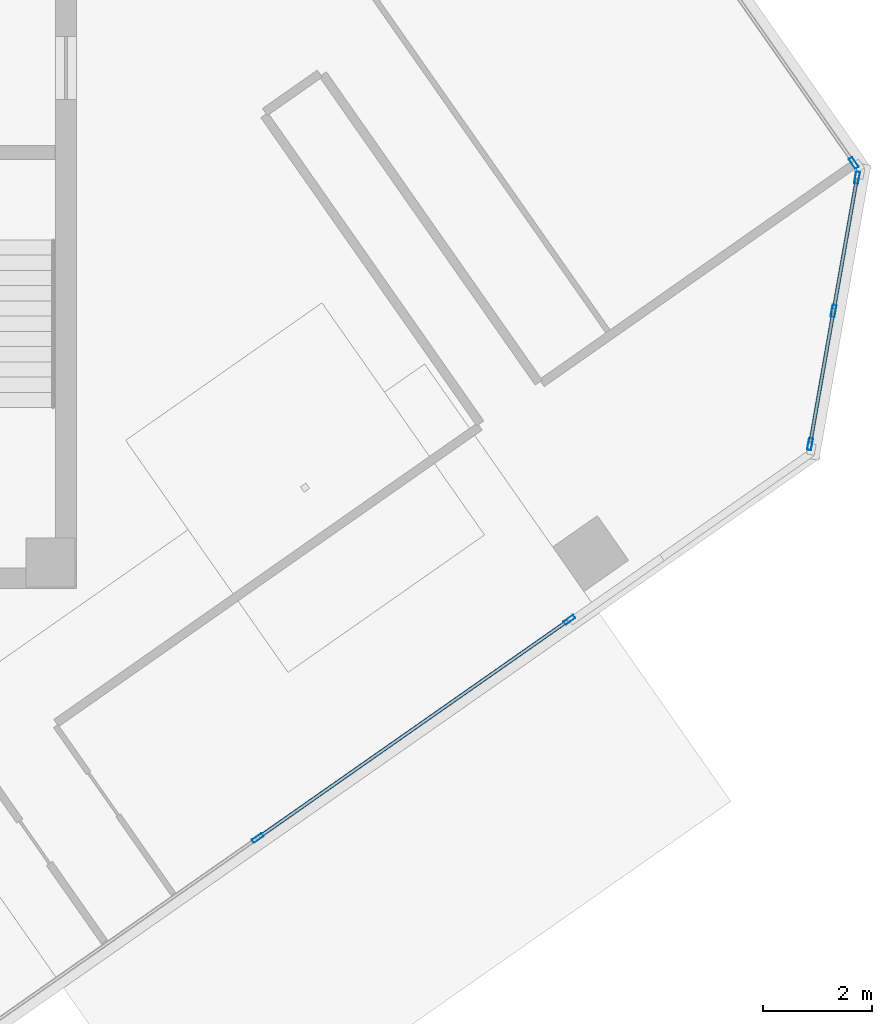
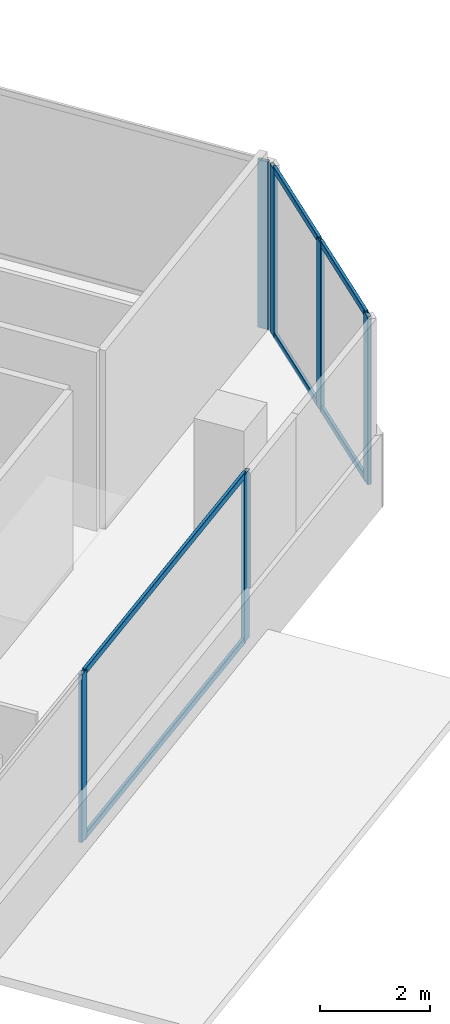
# One storey, part 7 of 17: 12 members, 3 elements without a shape of their own.
"""IFC4 building model written with IfcOpenShell, lengths in metres."""

import ifcopenshell
import ifcopenshell.guid

model = None  # the IFC model being written
_history = None  # IfcOwnerHistory: only IFC2X3 demands one
_inside = {}  # id of a spatial element -> (the spatial element, [elements in it])
_under = {}  # id of a project, library or spatial element -> (it, [spatial elements below it])
_declared = {}  # id of a project -> (the project, [libraries it declares])
_typed = {}  # id of a type object -> (the type object, [elements of that type])
_made_of = {}  # id of a material, layer set ... -> (it, [elements and type objects made of it])


def new_model(schema):
    """Start an empty IFC model of exactly this schema.

    Asked for "IFC4X3", IfcOpenShell would pick the latest addendum, in which some entities
    have other attributes; the version numbers below select the first issue.
    IFC2X3 requires an IfcOwnerHistory on every rooted entity: one is made here for all.
    """
    global model, _history
    if schema == "IFC4X3":
        model = ifcopenshell.file(schema_version=(4, 3, 0, 0))
    else:
        model = ifcopenshell.file(schema=schema)
    _inside.clear()
    _under.clear()
    _declared.clear()
    _typed.clear()
    _made_of.clear()
    _history = None
    if model.schema == "IFC2X3":
        org = make("IfcOrganization", Name="unknown")
        user = make(
            "IfcPersonAndOrganization",
            ThePerson=make("IfcPerson", FamilyName="unknown"),
            TheOrganization=org,
        )
        app = make(
            "IfcApplication",
            ApplicationDeveloper=org,
            Version="unknown",
            ApplicationFullName="unknown",
            ApplicationIdentifier="unknown",
        )
        _history = make(
            "IfcOwnerHistory",
            OwningUser=user,
            OwningApplication=app,
            ChangeAction="ADDED",
            CreationDate=0,
        )
    return model


def make(cls, **values):
    """One entity of the class cls with the attributes given. An attribute that is None is left unset."""
    return model.create_entity(
        cls, **{name: value for name, value in values.items() if value is not None}
    )


def rooted(cls, **values):
    """An entity with a GlobalId (a new one), such as an element, a storey or a relation."""
    return make(cls, GlobalId=ifcopenshell.guid.new(), OwnerHistory=_history, **values)


def si_unit(unit_type, name, prefix=None):
    """IfcSIUnit, for example si_unit("LENGTHUNIT", "METRE", prefix="MILLI")."""
    return make("IfcSIUnit", UnitType=unit_type, Prefix=prefix, Name=name)


def assignment(units):
    """IfcUnitAssignment: the units of a project."""
    return None if units is None else make("IfcUnitAssignment", Units=units)


def point(xyz):
    """IfcCartesianPoint."""
    return None if xyz is None else make("IfcCartesianPoint", Coordinates=xyz)


def direction(xyz):
    """IfcDirection."""
    return None if xyz is None else make("IfcDirection", DirectionRatios=xyz)


def frame(location, z_axis=None, x_axis=None):
    """IfcAxis2Placement3D, a coordinate frame: its origin and axes. An axis left out is left unset."""
    return make(
        "IfcAxis2Placement3D",
        Location=point(location),
        Axis=direction(z_axis),
        RefDirection=direction(x_axis),
    )


def frame_2d(location, x_axis=None):
    """IfcAxis2Placement2D, a coordinate frame in the plane: its origin and x axis."""
    return make(
        "IfcAxis2Placement2D", Location=point(location), RefDirection=direction(x_axis)
    )


def origin():
    """The frame at (0, 0, 0) with its axes left unset."""
    return frame((0.0, 0.0, 0.0))


def origin_2d():
    """The frame at (0, 0) in the plane with its x axis left unset."""
    return frame_2d((0.0, 0.0))


def place(relative_to, where):
    """IfcLocalPlacement: puts the frame where relative to a parent placement (None: the world)."""
    return make(
        "IfcLocalPlacement", PlacementRelTo=relative_to, RelativePlacement=where
    )


def context(
    kind, dimensions, precision=None, world=None, true_north=None, identifier=None
):
    """IfcGeometricRepresentationContext, for example the 3D "Model" context."""
    return make(
        "IfcGeometricRepresentationContext",
        ContextIdentifier=identifier,
        ContextType=kind,
        CoordinateSpaceDimension=dimensions,
        Precision=precision,
        WorldCoordinateSystem=world,
        TrueNorth=true_north,
    )


def subcontext(parent, identifier, kind, view, scale=None):
    """IfcGeometricRepresentationSubContext, for example "Body" below "Model"."""
    return make(
        "IfcGeometricRepresentationSubContext",
        ContextIdentifier=identifier,
        ContextType=kind,
        ParentContext=parent,
        TargetScale=scale,
        TargetView=view,
    )


def project(units=None, contexts=None):
    """IfcProject with its units and contexts."""
    return rooted(
        "IfcProject",
        Name="project",
        RepresentationContexts=contexts,
        UnitsInContext=assignment(units),
    )


def spatial(cls, under=None, at=None, **own):
    """A site, building, storey or space (cls), placed at a placement, below another one or the project."""
    s = rooted(cls, ObjectPlacement=at, **own)
    if under is not None:
        _under.setdefault(under.id(), (under, []))[1].append(s)
    return s


def profile(cls, at=None, kind="AREA", **sizes):
    """A parametric profile (cls). Its sizes go by their IFC names, for example OverallWidth=200.0."""
    return make(cls, ProfileType=kind, Position=at, **sizes)


def hollow_rectangle(**sizes):
    """IfcRectangleHollowProfileDef."""
    return profile("IfcRectangleHollowProfileDef", **sizes)


def extrude(swept, where, along, depth):
    """IfcExtrudedAreaSolid: the profile swept, set in the frame where, extruded along a direction by depth."""
    return make(
        "IfcExtrudedAreaSolid",
        SweptArea=swept,
        Position=where,
        ExtrudedDirection=direction(along),
        Depth=depth,
    )


def shape(context_of_items, identifier, shape_type, items):
    """IfcShapeRepresentation: the items that make up one representation, for example the "Body"."""
    return make(
        "IfcShapeRepresentation",
        ContextOfItems=context_of_items,
        RepresentationIdentifier=identifier,
        RepresentationType=shape_type,
        Items=items,
    )


def source(mapping_origin, context_of_items, identifier, shape_type, items):
    """IfcRepresentationMap: a shape defined once, which mapped items show again and again."""
    return make(
        "IfcRepresentationMap",
        MappingOrigin=mapping_origin,
        MappedRepresentation=shape(context_of_items, identifier, shape_type, items),
    )


def transform(
    local_origin,
    x_axis=None,
    y_axis=None,
    z_axis=None,
    scale=None,
    scale2=None,
    scale3=None,
    uniform=True,
):
    """IfcCartesianTransformationOperator3D, or its non-uniform kind. x_axis, y_axis, z_axis: its Axis1, 2, 3."""
    if uniform:
        return make(
            "IfcCartesianTransformationOperator3D",
            Axis1=direction(x_axis),
            Axis2=direction(y_axis),
            LocalOrigin=point(local_origin),
            Scale=scale,
            Axis3=direction(z_axis),
        )
    return make(
        "IfcCartesianTransformationOperator3DnonUniform",
        Axis1=direction(x_axis),
        Axis2=direction(y_axis),
        LocalOrigin=point(local_origin),
        Scale=scale,
        Axis3=direction(z_axis),
        Scale2=scale2,
        Scale3=scale3,
    )


def mapped(mapping_source, mapping_target):
    """IfcMappedItem: shows the shape of a source again, moved by a transform."""
    return make(
        "IfcMappedItem", MappingSource=mapping_source, MappingTarget=mapping_target
    )


def material(Name=None, Category=None):
    """IfcMaterial."""
    return make("IfcMaterial", Name=Name, Category=Category)


def material_profile(
    of_material, cross_section, Name=None, Category=None, Priority=None
):
    """IfcMaterialProfile: a cross section and its material."""
    return make(
        "IfcMaterialProfile",
        Name=Name,
        Material=of_material,
        Profile=cross_section,
        Priority=Priority,
        Category=Category,
    )


def profile_set(profiles, Name=None, composite=None):
    """IfcMaterialProfileSet."""
    return make(
        "IfcMaterialProfileSet",
        Name=Name,
        MaterialProfiles=profiles,
        CompositeProfile=composite,
    )


def made_of(thing, what):
    """Note that an element or type object is made of a material, layer set ...; save() writes the relation."""
    if what is not None:
        _made_of.setdefault(what.id(), (what, []))[1].append(thing)
    return thing


def type_object(cls, material=None, **own):
    """A type object (cls), such as IfcWallType, which elements share."""
    return made_of(rooted(cls, **own), material)


def element(
    cls,
    number,
    at=None,
    inside=None,
    cuts=None,
    type_object=None,
    material=None,
    context=None,
    identifier="Body",
    shape_type=None,
    held_by="IfcProductDefinitionShape",
    body=None,
    shapes=None,
    **own,
):
    """One element of the class cls, such as IfcWall. Its Tag is "e" and its number.

    at: its placement. inside: the storey or other place that contains it. cuts: it is an
    opening in that element (IfcRelVoidsElement). A single representation is given by context,
    identifier, shape_type and body (its items); several are given by shapes. held_by: the class
    of the entity that holds the representations. save() writes the other relations.
    """
    e = rooted(cls, Tag="e%d" % number, ObjectPlacement=at, **own)
    if body is not None:
        shapes = [shape(context, identifier, shape_type, body)]
    if shapes is not None:
        e.Representation = make(held_by, Representations=shapes)
    if inside is not None:
        _inside.setdefault(inside.id(), (inside, []))[1].append(e)
    if cuts is not None:
        rooted(
            "IfcRelVoidsElement", RelatingBuildingElement=cuts, RelatedOpeningElement=e
        )
    if type_object is not None:
        _typed.setdefault(type_object.id(), (type_object, []))[1].append(e)
    return made_of(e, material)


def aggregate(whole, parts):
    """IfcRelAggregates: a whole, such as a stair, and the parts it consists of."""
    return rooted("IfcRelAggregates", RelatingObject=whole, RelatedObjects=parts)


def save(model, path):
    """Write the relations noted so far, then the file.

    IfcRelAggregates (storeys below a building ...), IfcRelContainedInSpatialStructure (elements
    in a storey), IfcRelDefinesByType, IfcRelAssociatesMaterial and IfcRelDeclares: one each for
    every whole, place, type object, material and project.
    """
    for whole, parts in _under.values():
        aggregate(whole, parts)
    for where, things in _inside.values():
        rooted(
            "IfcRelContainedInSpatialStructure",
            RelatedElements=things,
            RelatingStructure=where,
        )
    for kind, things in _typed.values():
        rooted("IfcRelDefinesByType", RelatedObjects=things, RelatingType=kind)
    for what, things in _made_of.values():
        rooted("IfcRelAssociatesMaterial", RelatedObjects=things, RelatingMaterial=what)
    for by, libraries in _declared.values():
        rooted("IfcRelDeclares", RelatingContext=by, RelatedDefinitions=libraries)
    model.write(path)


model = new_model("IFC4")

# Units and contexts
model_context = context("Model", 3, precision=1e-05, world=origin(), true_north=direction((0.0, 1.0)))
body_context = subcontext(model_context, "Body", "Model", "MODEL_VIEW")
ifc_project = project(units=[si_unit("LENGTHUNIT", "METRE"), si_unit("AREAUNIT", "SQUARE_METRE"), si_unit("VOLUMEUNIT", "CUBIC_METRE"), si_unit("PLANEANGLEUNIT", "RADIAN"), si_unit("MASSUNIT", "GRAM", prefix="KILO")], contexts=[model_context])

# Site, building, storey
site_placement = place(None, origin())
site = spatial("IfcSite", under=ifc_project, at=site_placement, CompositionType="ELEMENT")
building_placement = place(site_placement, origin())
building = spatial("IfcBuilding", under=site, at=building_placement, Name="Torre Montelarca", CompositionType="ELEMENT")
storey_placement = place(building_placement, frame((0.0, 0.0, 298.800048828125)))
storey = spatial("IfcBuildingStorey", under=building, at=storey_placement, Name="L67", CompositionType="ELEMENT", Elevation=298.800048828125)

# Curtain wall, members
ifc_material_1 = material(Name="Insulated low-E laminated glass", Category="glass")
curtain_wall_type = type_object("IfcCurtainWallType", Name="CW-SYS-Z4", PredefinedType="USERDEFINED", material=ifc_material_1)
curtain_wall_1_placement = place(storey_placement, origin())
curtain_wall_1 = element("IfcCurtainWall", 1, at=curtain_wall_1_placement, inside=storey, type_object=curtain_wall_type, Name="L67 Curtain Wall Run CW-T3-L67-E06-B1", ObjectType="UNITISED GLAZING", PredefinedType="USERDEFINED")
ifc_material_2 = material(Name="Anodised aluminium AA 6063-T6", Category="aluminium")
ifc_material_profile_1 = material_profile(ifc_material_2, hollow_rectangle(XDim=0.074951171875, YDim=0.219970703125, WallThickness=0.0048828125, InnerFilletRadius=0.0048828125, OuterFilletRadius=0.010009765625, at=origin_2d()), Name="ALU75X220X5", Category="aluminium")
ifc_profile_set_1 = profile_set([ifc_material_profile_1], Name="Anodised aluminium AA 6063-T6")
member_type_1 = type_object("IfcMemberType", Name="CWM-ALU220", PredefinedType="MULLION", material=ifc_profile_set_1)
shared_shape_1 = source(origin(), body_context, "Body", "SweptSolid", [
    extrude(hollow_rectangle(XDim=0.074951171875, YDim=0.219970703125, WallThickness=0.0048828125, InnerFilletRadius=0.0048828125, OuterFilletRadius=0.010009765625, at=origin_2d()), origin(), (0.0, 0.0, 1.0), 3.719970703125),
])
member_1_placement = place(storey_placement, frame((30.258544921875, 19.49169921875, 0.0), z_axis=(0.0, 0.0, 1.0), x_axis=(-0.573572283323, 0.819154952255, 0.0)))
member_1 = element("IfcMember", 2, at=member_1_placement, type_object=member_type_1, Name="CW mullion 2", PredefinedType="MULLION", context=body_context, shape_type="MappedRepresentation", body=[
    mapped(shared_shape_1, transform((0.0, 0.0, 0.0), scale=1.0)),
])
member_2_placement = place(storey_placement, frame((35.978271484375, 23.49658203125, 0.0), z_axis=(0.0, 0.0, 1.0), x_axis=(-0.573572283323, 0.819154952255, 0.0)))
member_2 = element("IfcMember", 3, at=member_2_placement, type_object=member_type_1, Name="CW mullion 3", PredefinedType="MULLION", context=body_context, shape_type="MappedRepresentation", body=[
    mapped(shared_shape_1, transform((0.0, 0.0, 0.0), scale=1.0)),
])

curtain_wall_2_placement = place(storey_placement, origin())
curtain_wall_2 = element("IfcCurtainWall", 4, at=curtain_wall_2_placement, inside=storey, type_object=curtain_wall_type, Name="L67 Curtain Wall Run CW-T3-L67-E07-B1", ObjectType="UNITISED GLAZING", PredefinedType="USERDEFINED")
member_3_placement = place(storey_placement, frame((40.39794921875, 26.72021484375, 0.0), z_axis=(0.0, 0.0, 1.0), x_axis=(-0.984814090721, 0.173612230899, 0.0)))
member_3 = element("IfcMember", 5, at=member_3_placement, type_object=member_type_1, Name="CW mullion 1", PredefinedType="MULLION", context=body_context, shape_type="MappedRepresentation", body=[
    mapped(shared_shape_1, transform((0.0, 0.0, 0.0), scale=1.0)),
])
member_4_placement = place(storey_placement, frame((40.8291015625, 29.166259765625, 0.0), z_axis=(0.0, 0.0, 1.0), x_axis=(-0.984814090721, 0.173612230899, 0.0)))
member_4 = element("IfcMember", 6, at=member_4_placement, type_object=member_type_1, Name="CW mullion 2", PredefinedType="MULLION", context=body_context, shape_type="MappedRepresentation", body=[
    mapped(shared_shape_1, transform((0.0, 0.0, 0.0), scale=1.0)),
])
member_5_placement = place(storey_placement, frame((41.26025390625, 31.612060546875, 0.0), z_axis=(0.0, 0.0, 1.0), x_axis=(-0.984814090721, 0.173612230899, 0.0)))
member_5 = element("IfcMember", 7, at=member_5_placement, type_object=member_type_1, Name="CW mullion 3", PredefinedType="MULLION", context=body_context, shape_type="MappedRepresentation", body=[
    mapped(shared_shape_1, transform((0.0, 0.0, 0.0), scale=1.0)),
])

# Curtain wall, member
curtain_wall_3_placement = place(storey_placement, origin())
curtain_wall_3 = element("IfcCurtainWall", 8, at=curtain_wall_3_placement, inside=storey, type_object=curtain_wall_type, Name="L67 Curtain Wall Run CW-T3-L67-E08-B1", ObjectType="UNITISED GLAZING", PredefinedType="USERDEFINED")
member_6_placement = place(storey_placement, frame((41.200439453125, 31.8818359375, 0.0), z_axis=(0.0, 0.0, 1.0), x_axis=(-0.819155860287, -0.573570986503, 0.0)))
member_6 = element("IfcMember", 9, at=member_6_placement, type_object=member_type_1, Name="CW mullion 1", PredefinedType="MULLION", context=body_context, shape_type="MappedRepresentation", body=[
    mapped(shared_shape_1, transform((0.0, 0.0, 0.0), scale=1.0)),
])
aggregate(curtain_wall_3, [member_6])

# Member
ifc_material_profile_2 = material_profile(ifc_material_2, hollow_rectangle(XDim=0.06494140625, YDim=0.139892578125, WallThickness=0.00390625, InnerFilletRadius=0.00390625, OuterFilletRadius=0.008056640625, at=origin_2d()), Name="ALU65X140X4", Category="aluminium")
ifc_profile_set_2 = profile_set([ifc_material_profile_2], Name="Anodised aluminium AA 6063-T6")
member_type_2 = type_object("IfcMemberType", Name="CWT-ALU140", PredefinedType="USERDEFINED", material=ifc_profile_set_2)
shared_shape_2 = source(origin(), body_context, "Body", "SweptSolid", [
    extrude(hollow_rectangle(XDim=0.06494140625, YDim=0.139892578125, WallThickness=0.00390625, InnerFilletRadius=0.00390625, OuterFilletRadius=0.008056640625, at=origin_2d()), origin(), (0.0, 0.0, 1.0), 2.40869140625),
])
member_7_placement = place(storey_placement, frame((40.404541015625, 26.757080078125, 0.032470703125), z_axis=(0.173530903918, 0.984828424339, 0.0), x_axis=(-0.984828424339, 0.173530903918, 0.0)))
member_7 = element("IfcMember", 10, at=member_7_placement, type_object=member_type_2, Name="CW transom 1.1", ObjectType="TRANSOM", PredefinedType="USERDEFINED", context=body_context, shape_type="MappedRepresentation", body=[
    mapped(shared_shape_2, transform((0.0, 0.0, 0.0), scale=1.0)),
])

member_8_placement = place(storey_placement, frame((40.404541015625, 26.757080078125, 3.6875), z_axis=(0.173530903918, 0.984828424339, 0.0), x_axis=(-0.984828424339, 0.173530903918, 0.0)))
member_8 = element("IfcMember", 11, at=member_8_placement, type_object=member_type_2, Name="CW transom 1.2", ObjectType="TRANSOM", PredefinedType="USERDEFINED", context=body_context, shape_type="MappedRepresentation", body=[
    mapped(shared_shape_2, transform((0.0, 0.0, 0.0), scale=1.0)),
])

member_9_placement = place(storey_placement, frame((40.835693359375, 29.203125, 0.032470703125), z_axis=(0.173530903918, 0.984828424339, 0.0), x_axis=(-0.984828424339, 0.173530903918, 0.0)))
member_9 = element("IfcMember", 12, at=member_9_placement, type_object=member_type_2, Name="CW transom 2.1", ObjectType="TRANSOM", PredefinedType="USERDEFINED", context=body_context, shape_type="MappedRepresentation", body=[
    mapped(shared_shape_2, transform((0.0, 0.0, 0.0), scale=1.0)),
])

member_10_placement = place(storey_placement, frame((40.835693359375, 29.203125, 3.6875), z_axis=(0.173530903918, 0.984828424339, 0.0), x_axis=(-0.984828424339, 0.173530903918, 0.0)))
member_10 = element("IfcMember", 13, at=member_10_placement, type_object=member_type_2, Name="CW transom 2.2", ObjectType="TRANSOM", PredefinedType="USERDEFINED", context=body_context, shape_type="MappedRepresentation", body=[
    mapped(shared_shape_2, transform((0.0, 0.0, 0.0), scale=1.0)),
])

aggregate(curtain_wall_2, [member_3, member_4, member_5, member_7, member_8, member_9, member_10])

shared_shape_3 = source(origin(), body_context, "Body", "SweptSolid", [
    extrude(hollow_rectangle(XDim=0.06494140625, YDim=0.139892578125, WallThickness=0.00390625, InnerFilletRadius=0.00390625, OuterFilletRadius=0.008056640625, at=origin_2d()), origin(), (0.0, 0.0, 1.0), 6.907470703125),
])
member_11_placement = place(storey_placement, frame((30.289306640625, 19.51318359375, 0.032470703125), z_axis=(0.819152208787, 0.573576201424, 0.0), x_axis=(-0.573576201424, 0.819152208787, 0.0)))
member_11 = element("IfcMember", 14, at=member_11_placement, type_object=member_type_2, Name="CW transom 2.1", ObjectType="TRANSOM", PredefinedType="USERDEFINED", context=body_context, shape_type="MappedRepresentation", body=[
    mapped(shared_shape_3, transform((0.0, 0.0, 0.0), scale=1.0)),
])

member_12_placement = place(storey_placement, frame((30.289306640625, 19.51318359375, 3.6875), z_axis=(0.819152208787, 0.573576201424, 0.0), x_axis=(-0.573576201424, 0.819152208787, 0.0)))
member_12 = element("IfcMember", 15, at=member_12_placement, type_object=member_type_2, Name="CW transom 2.2", ObjectType="TRANSOM", PredefinedType="USERDEFINED", context=body_context, shape_type="MappedRepresentation", body=[
    mapped(shared_shape_3, transform((0.0, 0.0, 0.0), scale=1.0)),
])

aggregate(curtain_wall_1, [member_1, member_2, member_11, member_12])

save(model, "model.ifc")
